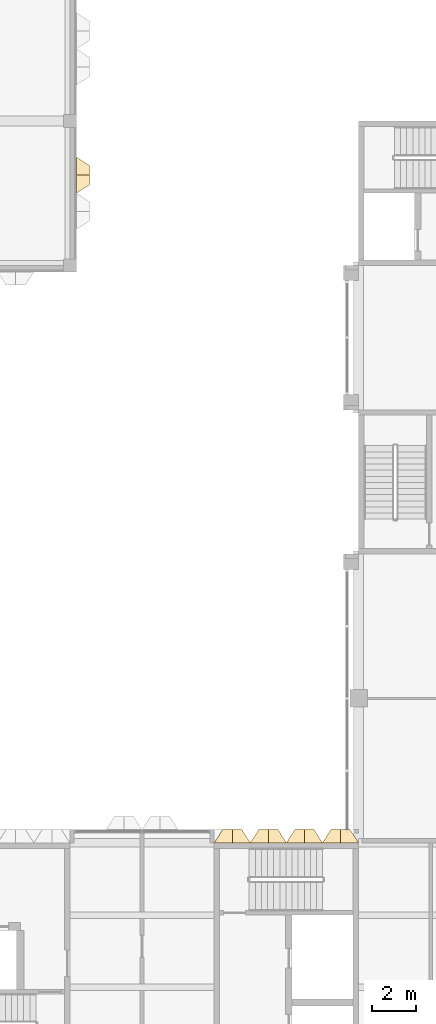
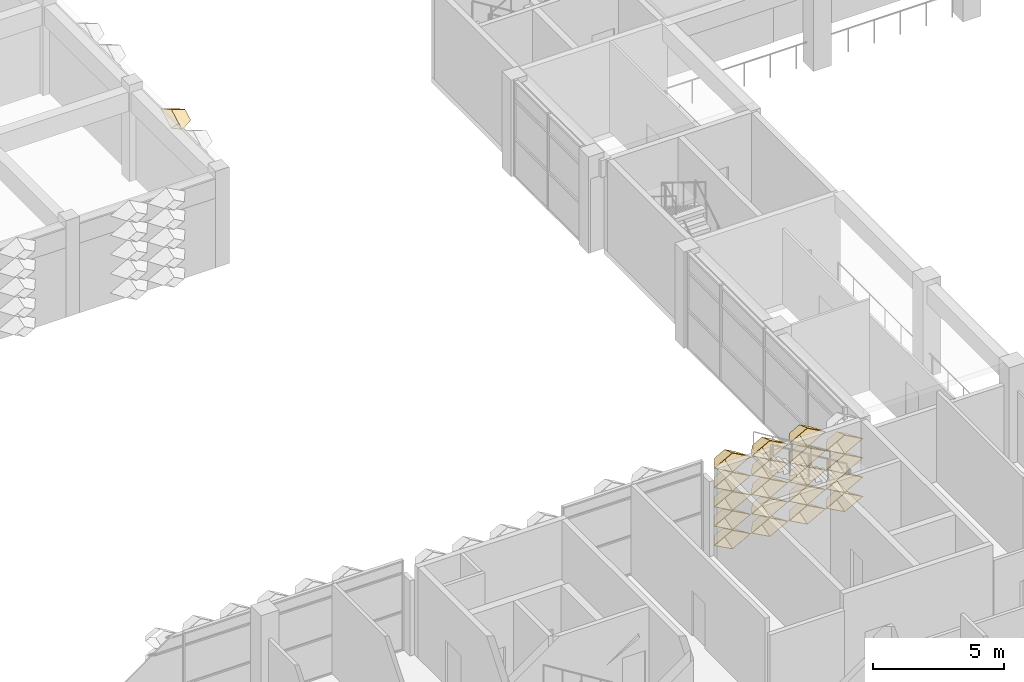
# One storey, part 56 of 87: 20 coverings.
"""IFC4 building model written with IfcOpenShell, lengths in metres."""

from ifc_helpers import new_model, entity, si_unit, direction, frame, origin, place, context, subcontext, project, spatial, material, layer, layer_set, type_object, element, save


model = new_model("IFC4")

# Units and contexts
model_context = context("Model", 3, precision=1e-05, world=origin(), true_north=direction((0.0, 1.0)))
body_context = subcontext(model_context, "Body", "Model", "MODEL_VIEW")
ifc_project = project(units=[si_unit("LENGTHUNIT", "METRE"), si_unit("AREAUNIT", "SQUARE_METRE"), si_unit("VOLUMEUNIT", "CUBIC_METRE"), si_unit("PLANEANGLEUNIT", "RADIAN"), si_unit("MASSUNIT", "GRAM", prefix="KILO")], contexts=[model_context])

# Site, building, storey
site_placement = place(None, origin())
site = spatial("IfcSite", under=ifc_project, at=site_placement, CompositionType="ELEMENT")
building_placement = place(site_placement, origin())
building = spatial("IfcBuilding", under=site, at=building_placement, Name="Lantern Court Research Institute", CompositionType="ELEMENT")
storey_placement = place(building_placement, frame((0.0, 0.0, 5.39990234375)))
storey = spatial("IfcBuildingStorey", under=building, at=storey_placement, Name="L01", CompositionType="ELEMENT", Elevation=5.39990234375)

# Coverings
ifc_material = material(Name="Anodised aluminium", Category="aluminium")
ifc_layer = layer(ifc_material, 0.01611328125)
ifc_layer_set = layer_set([ifc_layer], Name="Anodised aluminium")
covering_type = type_object("IfcCoveringType", Name="Fin cassette 1650 x 900 x 600 aluminium", PredefinedType="CLADDING", material=ifc_layer_set)
covering_1_placement = place(storey_placement, frame((26.699951171875, 53.625, 4.050048828125), z_axis=(1.0, 0.0, 0.0), x_axis=(0.0, 1.0, 0.0)))
cartesian_point_1 = entity("IfcCartesianPoint", [0.824951171875, 0.0])
cartesian_point_2 = entity("IfcCartesianPoint", [0.79150390625, 0.0])
cartesian_point_3 = entity("IfcCartesianPoint", [0.44189453125, 0.0])
cartesian_point_4 = entity("IfcCartesianPoint", [0.43359375, 0.0])
element("IfcCovering", 1, at=covering_1_placement, inside=storey, type_object=covering_type, Name="Fin cassette V3E-L01 5.33", PredefinedType="CLADDING", context=body_context, shape_type="SweptSolid", body=[
    entity("IfcExtrudedAreaSolidTapered", entity("IfcArbitraryProfileDefWithVoids", "AREA", None, entity("IfcPolyline", [cartesian_point_1, entity("IfcCartesianPoint", [0.0, 0.449951171875]), entity("IfcCartesianPoint", [-0.824951171875, 0.0]), entity("IfcCartesianPoint", [0.0, -0.449951171875]), cartesian_point_1]), [entity("IfcPolyline", [cartesian_point_2, entity("IfcCartesianPoint", [0.0, 0.431884765625]), entity("IfcCartesianPoint", [-0.79150390625, 0.0]), entity("IfcCartesianPoint", [0.0, -0.431884765625]), cartesian_point_2])]), entity("IfcAxis2Placement3D", entity("IfcCartesianPoint", [0.0, 0.0, 0.0])), entity("IfcDirection", [0.0, 0.0, 1.0]), 0.60009765625, entity("IfcArbitraryProfileDefWithVoids", "AREA", None, entity("IfcPolyline", [cartesian_point_3, entity("IfcCartesianPoint", [0.0, 0.240966796875]), entity("IfcCartesianPoint", [-0.44189453125, 0.0]), entity("IfcCartesianPoint", [0.0, -0.240966796875]), cartesian_point_3]), [entity("IfcPolyline", [cartesian_point_4, entity("IfcCartesianPoint", [0.0, 0.236572265625]), entity("IfcCartesianPoint", [-0.43359375, 0.0]), entity("IfcCartesianPoint", [0.0, -0.236572265625]), cartesian_point_4])])),
])
covering_2_placement = place(storey_placement, frame((33.824951171875, 23.10009765625, 0.4501953125), z_axis=(0.0, 1.0, 0.0), x_axis=(-1.0, 0.0, 0.0)))
cartesian_point_5 = entity("IfcCartesianPoint", [0.824951171875, 0.0])
cartesian_point_6 = entity("IfcCartesianPoint", [0.79150390625, 0.0])
cartesian_point_7 = entity("IfcCartesianPoint", [0.44189453125, 0.0])
cartesian_point_8 = entity("IfcCartesianPoint", [0.43359375, 0.0])
element("IfcCovering", 2, at=covering_2_placement, inside=storey, type_object=covering_type, Name="Fin cassette V4N-L01 1.21", PredefinedType="CLADDING", context=body_context, shape_type="SweptSolid", body=[
    entity("IfcExtrudedAreaSolidTapered", entity("IfcArbitraryProfileDefWithVoids", "AREA", None, entity("IfcPolyline", [cartesian_point_5, entity("IfcCartesianPoint", [0.0, 0.449951171875]), entity("IfcCartesianPoint", [-0.824951171875, 0.0]), entity("IfcCartesianPoint", [0.0, -0.449951171875]), cartesian_point_5]), [entity("IfcPolyline", [cartesian_point_6, entity("IfcCartesianPoint", [0.0, 0.431884765625]), entity("IfcCartesianPoint", [-0.79150390625, 0.0]), entity("IfcCartesianPoint", [0.0, -0.431884765625]), cartesian_point_6])]), entity("IfcAxis2Placement3D", entity("IfcCartesianPoint", [0.0, 0.0, 0.0])), entity("IfcDirection", [0.0, 0.0, 1.0]), 0.60009765625, entity("IfcArbitraryProfileDefWithVoids", "AREA", None, entity("IfcPolyline", [cartesian_point_7, entity("IfcCartesianPoint", [0.0, 0.240966796875]), entity("IfcCartesianPoint", [-0.44189453125, 0.0]), entity("IfcCartesianPoint", [0.0, -0.240966796875]), cartesian_point_7]), [entity("IfcPolyline", [cartesian_point_8, entity("IfcCartesianPoint", [0.0, 0.236572265625]), entity("IfcCartesianPoint", [-0.43359375, 0.0]), entity("IfcCartesianPoint", [0.0, -0.236572265625]), cartesian_point_8])])),
])
covering_3_placement = place(storey_placement, frame((35.47509765625, 23.10009765625, 0.4501953125), z_axis=(0.0, 1.0, 0.0), x_axis=(-1.0, 0.0, 0.0)))
cartesian_point_9 = entity("IfcCartesianPoint", [0.824951171875, 0.0])
cartesian_point_10 = entity("IfcCartesianPoint", [0.79150390625, 0.0])
cartesian_point_11 = entity("IfcCartesianPoint", [0.44189453125, 0.0])
cartesian_point_12 = entity("IfcCartesianPoint", [0.43359375, 0.0])
element("IfcCovering", 3, at=covering_3_placement, inside=storey, type_object=covering_type, Name="Fin cassette V4N-L01 1.22", PredefinedType="CLADDING", context=body_context, shape_type="SweptSolid", body=[
    entity("IfcExtrudedAreaSolidTapered", entity("IfcArbitraryProfileDefWithVoids", "AREA", None, entity("IfcPolyline", [cartesian_point_9, entity("IfcCartesianPoint", [0.0, 0.449951171875]), entity("IfcCartesianPoint", [-0.824951171875, 0.0]), entity("IfcCartesianPoint", [0.0, -0.449951171875]), cartesian_point_9]), [entity("IfcPolyline", [cartesian_point_10, entity("IfcCartesianPoint", [0.0, 0.431884765625]), entity("IfcCartesianPoint", [-0.79150390625, 0.0]), entity("IfcCartesianPoint", [0.0, -0.431884765625]), cartesian_point_10])]), entity("IfcAxis2Placement3D", entity("IfcCartesianPoint", [0.0, 0.0, 0.0])), entity("IfcDirection", [0.0, 0.0, 1.0]), 0.60009765625, entity("IfcArbitraryProfileDefWithVoids", "AREA", None, entity("IfcPolyline", [cartesian_point_11, entity("IfcCartesianPoint", [0.0, 0.240966796875]), entity("IfcCartesianPoint", [-0.44189453125, 0.0]), entity("IfcCartesianPoint", [0.0, -0.240966796875]), cartesian_point_11]), [entity("IfcPolyline", [cartesian_point_12, entity("IfcCartesianPoint", [0.0, 0.236572265625]), entity("IfcCartesianPoint", [-0.43359375, 0.0]), entity("IfcCartesianPoint", [0.0, -0.236572265625]), cartesian_point_12])])),
])
covering_4_placement = place(storey_placement, frame((37.125, 23.10009765625, 0.4501953125), z_axis=(0.0, 1.0, 0.0), x_axis=(-1.0, 0.0, 0.0)))
cartesian_point_13 = entity("IfcCartesianPoint", [0.824951171875, 0.0])
cartesian_point_14 = entity("IfcCartesianPoint", [0.79150390625, 0.0])
cartesian_point_15 = entity("IfcCartesianPoint", [0.44189453125, 0.0])
cartesian_point_16 = entity("IfcCartesianPoint", [0.43359375, 0.0])
element("IfcCovering", 4, at=covering_4_placement, inside=storey, type_object=covering_type, Name="Fin cassette V4N-L01 1.23", PredefinedType="CLADDING", context=body_context, shape_type="SweptSolid", body=[
    entity("IfcExtrudedAreaSolidTapered", entity("IfcArbitraryProfileDefWithVoids", "AREA", None, entity("IfcPolyline", [cartesian_point_13, entity("IfcCartesianPoint", [0.0, 0.449951171875]), entity("IfcCartesianPoint", [-0.824951171875, 0.0]), entity("IfcCartesianPoint", [0.0, -0.449951171875]), cartesian_point_13]), [entity("IfcPolyline", [cartesian_point_14, entity("IfcCartesianPoint", [0.0, 0.431884765625]), entity("IfcCartesianPoint", [-0.79150390625, 0.0]), entity("IfcCartesianPoint", [0.0, -0.431884765625]), cartesian_point_14])]), entity("IfcAxis2Placement3D", entity("IfcCartesianPoint", [0.0, 0.0, 0.0])), entity("IfcDirection", [0.0, 0.0, 1.0]), 0.60009765625, entity("IfcArbitraryProfileDefWithVoids", "AREA", None, entity("IfcPolyline", [cartesian_point_15, entity("IfcCartesianPoint", [0.0, 0.240966796875]), entity("IfcCartesianPoint", [-0.44189453125, 0.0]), entity("IfcCartesianPoint", [0.0, -0.240966796875]), cartesian_point_15]), [entity("IfcPolyline", [cartesian_point_16, entity("IfcCartesianPoint", [0.0, 0.236572265625]), entity("IfcCartesianPoint", [-0.43359375, 0.0]), entity("IfcCartesianPoint", [0.0, -0.236572265625]), cartesian_point_16])])),
])
covering_5_placement = place(storey_placement, frame((38.77490234375, 23.10009765625, 0.4501953125), z_axis=(0.0, 1.0, 0.0), x_axis=(-1.0, 0.0, 0.0)))
cartesian_point_17 = entity("IfcCartesianPoint", [0.824951171875, 0.0])
cartesian_point_18 = entity("IfcCartesianPoint", [0.79150390625, 0.0])
cartesian_point_19 = entity("IfcCartesianPoint", [0.44189453125, 0.0])
cartesian_point_20 = entity("IfcCartesianPoint", [0.43359375, 0.0])
element("IfcCovering", 5, at=covering_5_placement, inside=storey, type_object=covering_type, Name="Fin cassette V4N-L01 1.24", PredefinedType="CLADDING", context=body_context, shape_type="SweptSolid", body=[
    entity("IfcExtrudedAreaSolidTapered", entity("IfcArbitraryProfileDefWithVoids", "AREA", None, entity("IfcPolyline", [cartesian_point_17, entity("IfcCartesianPoint", [0.0, 0.449951171875]), entity("IfcCartesianPoint", [-0.824951171875, 0.0]), entity("IfcCartesianPoint", [0.0, -0.449951171875]), cartesian_point_17]), [entity("IfcPolyline", [cartesian_point_18, entity("IfcCartesianPoint", [0.0, 0.431884765625]), entity("IfcCartesianPoint", [-0.79150390625, 0.0]), entity("IfcCartesianPoint", [0.0, -0.431884765625]), cartesian_point_18])]), entity("IfcAxis2Placement3D", entity("IfcCartesianPoint", [0.0, 0.0, 0.0])), entity("IfcDirection", [0.0, 0.0, 1.0]), 0.60009765625, entity("IfcArbitraryProfileDefWithVoids", "AREA", None, entity("IfcPolyline", [cartesian_point_19, entity("IfcCartesianPoint", [0.0, 0.240966796875]), entity("IfcCartesianPoint", [-0.44189453125, 0.0]), entity("IfcCartesianPoint", [0.0, -0.240966796875]), cartesian_point_19]), [entity("IfcPolyline", [cartesian_point_20, entity("IfcCartesianPoint", [0.0, 0.236572265625]), entity("IfcCartesianPoint", [-0.43359375, 0.0]), entity("IfcCartesianPoint", [0.0, -0.236572265625]), cartesian_point_20])])),
])
covering_6_placement = place(storey_placement, frame((33.824951171875, 23.10009765625, 1.35009765625), z_axis=(0.0, 1.0, 0.0), x_axis=(-1.0, 0.0, 0.0)))
cartesian_point_21 = entity("IfcCartesianPoint", [0.824951171875, 0.0])
cartesian_point_22 = entity("IfcCartesianPoint", [0.79150390625, 0.0])
cartesian_point_23 = entity("IfcCartesianPoint", [0.44189453125, 0.0])
cartesian_point_24 = entity("IfcCartesianPoint", [0.43359375, 0.0])
element("IfcCovering", 6, at=covering_6_placement, inside=storey, type_object=covering_type, Name="Fin cassette V4N-L01 2.21", PredefinedType="CLADDING", context=body_context, shape_type="SweptSolid", body=[
    entity("IfcExtrudedAreaSolidTapered", entity("IfcArbitraryProfileDefWithVoids", "AREA", None, entity("IfcPolyline", [cartesian_point_21, entity("IfcCartesianPoint", [0.0, 0.449951171875]), entity("IfcCartesianPoint", [-0.824951171875, 0.0]), entity("IfcCartesianPoint", [0.0, -0.449951171875]), cartesian_point_21]), [entity("IfcPolyline", [cartesian_point_22, entity("IfcCartesianPoint", [0.0, 0.431884765625]), entity("IfcCartesianPoint", [-0.79150390625, 0.0]), entity("IfcCartesianPoint", [0.0, -0.431884765625]), cartesian_point_22])]), entity("IfcAxis2Placement3D", entity("IfcCartesianPoint", [0.0, 0.0, 0.0])), entity("IfcDirection", [0.0, 0.0, 1.0]), 0.60009765625, entity("IfcArbitraryProfileDefWithVoids", "AREA", None, entity("IfcPolyline", [cartesian_point_23, entity("IfcCartesianPoint", [0.0, 0.240966796875]), entity("IfcCartesianPoint", [-0.44189453125, 0.0]), entity("IfcCartesianPoint", [0.0, -0.240966796875]), cartesian_point_23]), [entity("IfcPolyline", [cartesian_point_24, entity("IfcCartesianPoint", [0.0, 0.236572265625]), entity("IfcCartesianPoint", [-0.43359375, 0.0]), entity("IfcCartesianPoint", [0.0, -0.236572265625]), cartesian_point_24])])),
])
covering_7_placement = place(storey_placement, frame((35.47509765625, 23.10009765625, 1.35009765625), z_axis=(0.0, 1.0, 0.0), x_axis=(-1.0, 0.0, 0.0)))
cartesian_point_25 = entity("IfcCartesianPoint", [0.824951171875, 0.0])
cartesian_point_26 = entity("IfcCartesianPoint", [0.79150390625, 0.0])
cartesian_point_27 = entity("IfcCartesianPoint", [0.44189453125, 0.0])
cartesian_point_28 = entity("IfcCartesianPoint", [0.43359375, 0.0])
element("IfcCovering", 7, at=covering_7_placement, inside=storey, type_object=covering_type, Name="Fin cassette V4N-L01 2.22", PredefinedType="CLADDING", context=body_context, shape_type="SweptSolid", body=[
    entity("IfcExtrudedAreaSolidTapered", entity("IfcArbitraryProfileDefWithVoids", "AREA", None, entity("IfcPolyline", [cartesian_point_25, entity("IfcCartesianPoint", [0.0, 0.449951171875]), entity("IfcCartesianPoint", [-0.824951171875, 0.0]), entity("IfcCartesianPoint", [0.0, -0.449951171875]), cartesian_point_25]), [entity("IfcPolyline", [cartesian_point_26, entity("IfcCartesianPoint", [0.0, 0.431884765625]), entity("IfcCartesianPoint", [-0.79150390625, 0.0]), entity("IfcCartesianPoint", [0.0, -0.431884765625]), cartesian_point_26])]), entity("IfcAxis2Placement3D", entity("IfcCartesianPoint", [0.0, 0.0, 0.0])), entity("IfcDirection", [0.0, 0.0, 1.0]), 0.60009765625, entity("IfcArbitraryProfileDefWithVoids", "AREA", None, entity("IfcPolyline", [cartesian_point_27, entity("IfcCartesianPoint", [0.0, 0.240966796875]), entity("IfcCartesianPoint", [-0.44189453125, 0.0]), entity("IfcCartesianPoint", [0.0, -0.240966796875]), cartesian_point_27]), [entity("IfcPolyline", [cartesian_point_28, entity("IfcCartesianPoint", [0.0, 0.236572265625]), entity("IfcCartesianPoint", [-0.43359375, 0.0]), entity("IfcCartesianPoint", [0.0, -0.236572265625]), cartesian_point_28])])),
])
covering_8_placement = place(storey_placement, frame((37.125, 23.10009765625, 1.35009765625), z_axis=(0.0, 1.0, 0.0), x_axis=(-1.0, 0.0, 0.0)))
cartesian_point_29 = entity("IfcCartesianPoint", [0.824951171875, 0.0])
cartesian_point_30 = entity("IfcCartesianPoint", [0.79150390625, 0.0])
cartesian_point_31 = entity("IfcCartesianPoint", [0.44189453125, 0.0])
cartesian_point_32 = entity("IfcCartesianPoint", [0.43359375, 0.0])
element("IfcCovering", 8, at=covering_8_placement, inside=storey, type_object=covering_type, Name="Fin cassette V4N-L01 2.23", PredefinedType="CLADDING", context=body_context, shape_type="SweptSolid", body=[
    entity("IfcExtrudedAreaSolidTapered", entity("IfcArbitraryProfileDefWithVoids", "AREA", None, entity("IfcPolyline", [cartesian_point_29, entity("IfcCartesianPoint", [0.0, 0.449951171875]), entity("IfcCartesianPoint", [-0.824951171875, 0.0]), entity("IfcCartesianPoint", [0.0, -0.449951171875]), cartesian_point_29]), [entity("IfcPolyline", [cartesian_point_30, entity("IfcCartesianPoint", [0.0, 0.431884765625]), entity("IfcCartesianPoint", [-0.79150390625, 0.0]), entity("IfcCartesianPoint", [0.0, -0.431884765625]), cartesian_point_30])]), entity("IfcAxis2Placement3D", entity("IfcCartesianPoint", [0.0, 0.0, 0.0])), entity("IfcDirection", [0.0, 0.0, 1.0]), 0.60009765625, entity("IfcArbitraryProfileDefWithVoids", "AREA", None, entity("IfcPolyline", [cartesian_point_31, entity("IfcCartesianPoint", [0.0, 0.240966796875]), entity("IfcCartesianPoint", [-0.44189453125, 0.0]), entity("IfcCartesianPoint", [0.0, -0.240966796875]), cartesian_point_31]), [entity("IfcPolyline", [cartesian_point_32, entity("IfcCartesianPoint", [0.0, 0.236572265625]), entity("IfcCartesianPoint", [-0.43359375, 0.0]), entity("IfcCartesianPoint", [0.0, -0.236572265625]), cartesian_point_32])])),
])
covering_9_placement = place(storey_placement, frame((38.77490234375, 23.10009765625, 1.35009765625), z_axis=(0.0, 1.0, 0.0), x_axis=(-1.0, 0.0, 0.0)))
cartesian_point_33 = entity("IfcCartesianPoint", [0.824951171875, 0.0])
cartesian_point_34 = entity("IfcCartesianPoint", [0.79150390625, 0.0])
cartesian_point_35 = entity("IfcCartesianPoint", [0.44189453125, 0.0])
cartesian_point_36 = entity("IfcCartesianPoint", [0.43359375, 0.0])
element("IfcCovering", 9, at=covering_9_placement, inside=storey, type_object=covering_type, Name="Fin cassette V4N-L01 2.24", PredefinedType="CLADDING", context=body_context, shape_type="SweptSolid", body=[
    entity("IfcExtrudedAreaSolidTapered", entity("IfcArbitraryProfileDefWithVoids", "AREA", None, entity("IfcPolyline", [cartesian_point_33, entity("IfcCartesianPoint", [0.0, 0.449951171875]), entity("IfcCartesianPoint", [-0.824951171875, 0.0]), entity("IfcCartesianPoint", [0.0, -0.449951171875]), cartesian_point_33]), [entity("IfcPolyline", [cartesian_point_34, entity("IfcCartesianPoint", [0.0, 0.431884765625]), entity("IfcCartesianPoint", [-0.79150390625, 0.0]), entity("IfcCartesianPoint", [0.0, -0.431884765625]), cartesian_point_34])]), entity("IfcAxis2Placement3D", entity("IfcCartesianPoint", [0.0, 0.0, 0.0])), entity("IfcDirection", [0.0, 0.0, 1.0]), 0.60009765625, entity("IfcArbitraryProfileDefWithVoids", "AREA", None, entity("IfcPolyline", [cartesian_point_35, entity("IfcCartesianPoint", [0.0, 0.240966796875]), entity("IfcCartesianPoint", [-0.44189453125, 0.0]), entity("IfcCartesianPoint", [0.0, -0.240966796875]), cartesian_point_35]), [entity("IfcPolyline", [cartesian_point_36, entity("IfcCartesianPoint", [0.0, 0.236572265625]), entity("IfcCartesianPoint", [-0.43359375, 0.0]), entity("IfcCartesianPoint", [0.0, -0.236572265625]), cartesian_point_36])])),
])
covering_10_placement = place(storey_placement, frame((33.824951171875, 23.10009765625, 2.25), z_axis=(0.0, 1.0, 0.0), x_axis=(-1.0, 0.0, 0.0)))
cartesian_point_37 = entity("IfcCartesianPoint", [0.824951171875, 0.0])
cartesian_point_38 = entity("IfcCartesianPoint", [0.79150390625, 0.0])
cartesian_point_39 = entity("IfcCartesianPoint", [0.44189453125, 0.0])
cartesian_point_40 = entity("IfcCartesianPoint", [0.43359375, 0.0])
element("IfcCovering", 10, at=covering_10_placement, inside=storey, type_object=covering_type, Name="Fin cassette V4N-L01 3.21", PredefinedType="CLADDING", context=body_context, shape_type="SweptSolid", body=[
    entity("IfcExtrudedAreaSolidTapered", entity("IfcArbitraryProfileDefWithVoids", "AREA", None, entity("IfcPolyline", [cartesian_point_37, entity("IfcCartesianPoint", [0.0, 0.449951171875]), entity("IfcCartesianPoint", [-0.824951171875, 0.0]), entity("IfcCartesianPoint", [0.0, -0.449951171875]), cartesian_point_37]), [entity("IfcPolyline", [cartesian_point_38, entity("IfcCartesianPoint", [0.0, 0.431884765625]), entity("IfcCartesianPoint", [-0.79150390625, 0.0]), entity("IfcCartesianPoint", [0.0, -0.431884765625]), cartesian_point_38])]), entity("IfcAxis2Placement3D", entity("IfcCartesianPoint", [0.0, 0.0, 0.0])), entity("IfcDirection", [0.0, 0.0, 1.0]), 0.60009765625, entity("IfcArbitraryProfileDefWithVoids", "AREA", None, entity("IfcPolyline", [cartesian_point_39, entity("IfcCartesianPoint", [0.0, 0.240966796875]), entity("IfcCartesianPoint", [-0.44189453125, 0.0]), entity("IfcCartesianPoint", [0.0, -0.240966796875]), cartesian_point_39]), [entity("IfcPolyline", [cartesian_point_40, entity("IfcCartesianPoint", [0.0, 0.236572265625]), entity("IfcCartesianPoint", [-0.43359375, 0.0]), entity("IfcCartesianPoint", [0.0, -0.236572265625]), cartesian_point_40])])),
])
covering_11_placement = place(storey_placement, frame((35.47509765625, 23.10009765625, 2.25), z_axis=(0.0, 1.0, 0.0), x_axis=(-1.0, 0.0, 0.0)))
cartesian_point_41 = entity("IfcCartesianPoint", [0.824951171875, 0.0])
cartesian_point_42 = entity("IfcCartesianPoint", [0.79150390625, 0.0])
cartesian_point_43 = entity("IfcCartesianPoint", [0.44189453125, 0.0])
cartesian_point_44 = entity("IfcCartesianPoint", [0.43359375, 0.0])
element("IfcCovering", 11, at=covering_11_placement, inside=storey, type_object=covering_type, Name="Fin cassette V4N-L01 3.22", PredefinedType="CLADDING", context=body_context, shape_type="SweptSolid", body=[
    entity("IfcExtrudedAreaSolidTapered", entity("IfcArbitraryProfileDefWithVoids", "AREA", None, entity("IfcPolyline", [cartesian_point_41, entity("IfcCartesianPoint", [0.0, 0.449951171875]), entity("IfcCartesianPoint", [-0.824951171875, 0.0]), entity("IfcCartesianPoint", [0.0, -0.449951171875]), cartesian_point_41]), [entity("IfcPolyline", [cartesian_point_42, entity("IfcCartesianPoint", [0.0, 0.431884765625]), entity("IfcCartesianPoint", [-0.79150390625, 0.0]), entity("IfcCartesianPoint", [0.0, -0.431884765625]), cartesian_point_42])]), entity("IfcAxis2Placement3D", entity("IfcCartesianPoint", [0.0, 0.0, 0.0])), entity("IfcDirection", [0.0, 0.0, 1.0]), 0.60009765625, entity("IfcArbitraryProfileDefWithVoids", "AREA", None, entity("IfcPolyline", [cartesian_point_43, entity("IfcCartesianPoint", [0.0, 0.240966796875]), entity("IfcCartesianPoint", [-0.44189453125, 0.0]), entity("IfcCartesianPoint", [0.0, -0.240966796875]), cartesian_point_43]), [entity("IfcPolyline", [cartesian_point_44, entity("IfcCartesianPoint", [0.0, 0.236572265625]), entity("IfcCartesianPoint", [-0.43359375, 0.0]), entity("IfcCartesianPoint", [0.0, -0.236572265625]), cartesian_point_44])])),
])
covering_12_placement = place(storey_placement, frame((37.125, 23.10009765625, 2.25), z_axis=(0.0, 1.0, 0.0), x_axis=(-1.0, 0.0, 0.0)))
cartesian_point_45 = entity("IfcCartesianPoint", [0.824951171875, 0.0])
cartesian_point_46 = entity("IfcCartesianPoint", [0.79150390625, 0.0])
cartesian_point_47 = entity("IfcCartesianPoint", [0.44189453125, 0.0])
cartesian_point_48 = entity("IfcCartesianPoint", [0.43359375, 0.0])
element("IfcCovering", 12, at=covering_12_placement, inside=storey, type_object=covering_type, Name="Fin cassette V4N-L01 3.23", PredefinedType="CLADDING", context=body_context, shape_type="SweptSolid", body=[
    entity("IfcExtrudedAreaSolidTapered", entity("IfcArbitraryProfileDefWithVoids", "AREA", None, entity("IfcPolyline", [cartesian_point_45, entity("IfcCartesianPoint", [0.0, 0.449951171875]), entity("IfcCartesianPoint", [-0.824951171875, 0.0]), entity("IfcCartesianPoint", [0.0, -0.449951171875]), cartesian_point_45]), [entity("IfcPolyline", [cartesian_point_46, entity("IfcCartesianPoint", [0.0, 0.431884765625]), entity("IfcCartesianPoint", [-0.79150390625, 0.0]), entity("IfcCartesianPoint", [0.0, -0.431884765625]), cartesian_point_46])]), entity("IfcAxis2Placement3D", entity("IfcCartesianPoint", [0.0, 0.0, 0.0])), entity("IfcDirection", [0.0, 0.0, 1.0]), 0.60009765625, entity("IfcArbitraryProfileDefWithVoids", "AREA", None, entity("IfcPolyline", [cartesian_point_47, entity("IfcCartesianPoint", [0.0, 0.240966796875]), entity("IfcCartesianPoint", [-0.44189453125, 0.0]), entity("IfcCartesianPoint", [0.0, -0.240966796875]), cartesian_point_47]), [entity("IfcPolyline", [cartesian_point_48, entity("IfcCartesianPoint", [0.0, 0.236572265625]), entity("IfcCartesianPoint", [-0.43359375, 0.0]), entity("IfcCartesianPoint", [0.0, -0.236572265625]), cartesian_point_48])])),
])
covering_13_placement = place(storey_placement, frame((38.77490234375, 23.10009765625, 2.25), z_axis=(0.0, 1.0, 0.0), x_axis=(-1.0, 0.0, 0.0)))
cartesian_point_49 = entity("IfcCartesianPoint", [0.824951171875, 0.0])
cartesian_point_50 = entity("IfcCartesianPoint", [0.79150390625, 0.0])
cartesian_point_51 = entity("IfcCartesianPoint", [0.44189453125, 0.0])
cartesian_point_52 = entity("IfcCartesianPoint", [0.43359375, 0.0])
element("IfcCovering", 13, at=covering_13_placement, inside=storey, type_object=covering_type, Name="Fin cassette V4N-L01 3.24", PredefinedType="CLADDING", context=body_context, shape_type="SweptSolid", body=[
    entity("IfcExtrudedAreaSolidTapered", entity("IfcArbitraryProfileDefWithVoids", "AREA", None, entity("IfcPolyline", [cartesian_point_49, entity("IfcCartesianPoint", [0.0, 0.449951171875]), entity("IfcCartesianPoint", [-0.824951171875, 0.0]), entity("IfcCartesianPoint", [0.0, -0.449951171875]), cartesian_point_49]), [entity("IfcPolyline", [cartesian_point_50, entity("IfcCartesianPoint", [0.0, 0.431884765625]), entity("IfcCartesianPoint", [-0.79150390625, 0.0]), entity("IfcCartesianPoint", [0.0, -0.431884765625]), cartesian_point_50])]), entity("IfcAxis2Placement3D", entity("IfcCartesianPoint", [0.0, 0.0, 0.0])), entity("IfcDirection", [0.0, 0.0, 1.0]), 0.60009765625, entity("IfcArbitraryProfileDefWithVoids", "AREA", None, entity("IfcPolyline", [cartesian_point_51, entity("IfcCartesianPoint", [0.0, 0.240966796875]), entity("IfcCartesianPoint", [-0.44189453125, 0.0]), entity("IfcCartesianPoint", [0.0, -0.240966796875]), cartesian_point_51]), [entity("IfcPolyline", [cartesian_point_52, entity("IfcCartesianPoint", [0.0, 0.236572265625]), entity("IfcCartesianPoint", [-0.43359375, 0.0]), entity("IfcCartesianPoint", [0.0, -0.236572265625]), cartesian_point_52])])),
])
covering_14_placement = place(storey_placement, frame((33.824951171875, 23.10009765625, 3.150146484375), z_axis=(0.0, 1.0, 0.0), x_axis=(-1.0, 0.0, 0.0)))
cartesian_point_53 = entity("IfcCartesianPoint", [0.824951171875, 0.0])
cartesian_point_54 = entity("IfcCartesianPoint", [0.79150390625, 0.0])
cartesian_point_55 = entity("IfcCartesianPoint", [0.44189453125, 0.0])
cartesian_point_56 = entity("IfcCartesianPoint", [0.43359375, 0.0])
element("IfcCovering", 14, at=covering_14_placement, inside=storey, type_object=covering_type, Name="Fin cassette V4N-L01 4.21", PredefinedType="CLADDING", context=body_context, shape_type="SweptSolid", body=[
    entity("IfcExtrudedAreaSolidTapered", entity("IfcArbitraryProfileDefWithVoids", "AREA", None, entity("IfcPolyline", [cartesian_point_53, entity("IfcCartesianPoint", [0.0, 0.449951171875]), entity("IfcCartesianPoint", [-0.824951171875, 0.0]), entity("IfcCartesianPoint", [0.0, -0.449951171875]), cartesian_point_53]), [entity("IfcPolyline", [cartesian_point_54, entity("IfcCartesianPoint", [0.0, 0.431884765625]), entity("IfcCartesianPoint", [-0.79150390625, 0.0]), entity("IfcCartesianPoint", [0.0, -0.431884765625]), cartesian_point_54])]), entity("IfcAxis2Placement3D", entity("IfcCartesianPoint", [0.0, 0.0, 0.0])), entity("IfcDirection", [0.0, 0.0, 1.0]), 0.60009765625, entity("IfcArbitraryProfileDefWithVoids", "AREA", None, entity("IfcPolyline", [cartesian_point_55, entity("IfcCartesianPoint", [0.0, 0.240966796875]), entity("IfcCartesianPoint", [-0.44189453125, 0.0]), entity("IfcCartesianPoint", [0.0, -0.240966796875]), cartesian_point_55]), [entity("IfcPolyline", [cartesian_point_56, entity("IfcCartesianPoint", [0.0, 0.236572265625]), entity("IfcCartesianPoint", [-0.43359375, 0.0]), entity("IfcCartesianPoint", [0.0, -0.236572265625]), cartesian_point_56])])),
])
covering_15_placement = place(storey_placement, frame((35.47509765625, 23.10009765625, 3.150146484375), z_axis=(0.0, 1.0, 0.0), x_axis=(-1.0, 0.0, 0.0)))
cartesian_point_57 = entity("IfcCartesianPoint", [0.824951171875, 0.0])
cartesian_point_58 = entity("IfcCartesianPoint", [0.79150390625, 0.0])
cartesian_point_59 = entity("IfcCartesianPoint", [0.44189453125, 0.0])
cartesian_point_60 = entity("IfcCartesianPoint", [0.43359375, 0.0])
element("IfcCovering", 15, at=covering_15_placement, inside=storey, type_object=covering_type, Name="Fin cassette V4N-L01 4.22", PredefinedType="CLADDING", context=body_context, shape_type="SweptSolid", body=[
    entity("IfcExtrudedAreaSolidTapered", entity("IfcArbitraryProfileDefWithVoids", "AREA", None, entity("IfcPolyline", [cartesian_point_57, entity("IfcCartesianPoint", [0.0, 0.449951171875]), entity("IfcCartesianPoint", [-0.824951171875, 0.0]), entity("IfcCartesianPoint", [0.0, -0.449951171875]), cartesian_point_57]), [entity("IfcPolyline", [cartesian_point_58, entity("IfcCartesianPoint", [0.0, 0.431884765625]), entity("IfcCartesianPoint", [-0.79150390625, 0.0]), entity("IfcCartesianPoint", [0.0, -0.431884765625]), cartesian_point_58])]), entity("IfcAxis2Placement3D", entity("IfcCartesianPoint", [0.0, 0.0, 0.0])), entity("IfcDirection", [0.0, 0.0, 1.0]), 0.60009765625, entity("IfcArbitraryProfileDefWithVoids", "AREA", None, entity("IfcPolyline", [cartesian_point_59, entity("IfcCartesianPoint", [0.0, 0.240966796875]), entity("IfcCartesianPoint", [-0.44189453125, 0.0]), entity("IfcCartesianPoint", [0.0, -0.240966796875]), cartesian_point_59]), [entity("IfcPolyline", [cartesian_point_60, entity("IfcCartesianPoint", [0.0, 0.236572265625]), entity("IfcCartesianPoint", [-0.43359375, 0.0]), entity("IfcCartesianPoint", [0.0, -0.236572265625]), cartesian_point_60])])),
])
covering_16_placement = place(storey_placement, frame((37.125, 23.10009765625, 3.150146484375), z_axis=(0.0, 1.0, 0.0), x_axis=(-1.0, 0.0, 0.0)))
cartesian_point_61 = entity("IfcCartesianPoint", [0.824951171875, 0.0])
cartesian_point_62 = entity("IfcCartesianPoint", [0.79150390625, 0.0])
cartesian_point_63 = entity("IfcCartesianPoint", [0.44189453125, 0.0])
cartesian_point_64 = entity("IfcCartesianPoint", [0.43359375, 0.0])
element("IfcCovering", 16, at=covering_16_placement, inside=storey, type_object=covering_type, Name="Fin cassette V4N-L01 4.23", PredefinedType="CLADDING", context=body_context, shape_type="SweptSolid", body=[
    entity("IfcExtrudedAreaSolidTapered", entity("IfcArbitraryProfileDefWithVoids", "AREA", None, entity("IfcPolyline", [cartesian_point_61, entity("IfcCartesianPoint", [0.0, 0.449951171875]), entity("IfcCartesianPoint", [-0.824951171875, 0.0]), entity("IfcCartesianPoint", [0.0, -0.449951171875]), cartesian_point_61]), [entity("IfcPolyline", [cartesian_point_62, entity("IfcCartesianPoint", [0.0, 0.431884765625]), entity("IfcCartesianPoint", [-0.79150390625, 0.0]), entity("IfcCartesianPoint", [0.0, -0.431884765625]), cartesian_point_62])]), entity("IfcAxis2Placement3D", entity("IfcCartesianPoint", [0.0, 0.0, 0.0])), entity("IfcDirection", [0.0, 0.0, 1.0]), 0.60009765625, entity("IfcArbitraryProfileDefWithVoids", "AREA", None, entity("IfcPolyline", [cartesian_point_63, entity("IfcCartesianPoint", [0.0, 0.240966796875]), entity("IfcCartesianPoint", [-0.44189453125, 0.0]), entity("IfcCartesianPoint", [0.0, -0.240966796875]), cartesian_point_63]), [entity("IfcPolyline", [cartesian_point_64, entity("IfcCartesianPoint", [0.0, 0.236572265625]), entity("IfcCartesianPoint", [-0.43359375, 0.0]), entity("IfcCartesianPoint", [0.0, -0.236572265625]), cartesian_point_64])])),
])
covering_17_placement = place(storey_placement, frame((38.77490234375, 23.10009765625, 3.150146484375), z_axis=(0.0, 1.0, 0.0), x_axis=(-1.0, 0.0, 0.0)))
cartesian_point_65 = entity("IfcCartesianPoint", [0.824951171875, 0.0])
cartesian_point_66 = entity("IfcCartesianPoint", [0.79150390625, 0.0])
cartesian_point_67 = entity("IfcCartesianPoint", [0.44189453125, 0.0])
cartesian_point_68 = entity("IfcCartesianPoint", [0.43359375, 0.0])
element("IfcCovering", 17, at=covering_17_placement, inside=storey, type_object=covering_type, Name="Fin cassette V4N-L01 4.24", PredefinedType="CLADDING", context=body_context, shape_type="SweptSolid", body=[
    entity("IfcExtrudedAreaSolidTapered", entity("IfcArbitraryProfileDefWithVoids", "AREA", None, entity("IfcPolyline", [cartesian_point_65, entity("IfcCartesianPoint", [0.0, 0.449951171875]), entity("IfcCartesianPoint", [-0.824951171875, 0.0]), entity("IfcCartesianPoint", [0.0, -0.449951171875]), cartesian_point_65]), [entity("IfcPolyline", [cartesian_point_66, entity("IfcCartesianPoint", [0.0, 0.431884765625]), entity("IfcCartesianPoint", [-0.79150390625, 0.0]), entity("IfcCartesianPoint", [0.0, -0.431884765625]), cartesian_point_66])]), entity("IfcAxis2Placement3D", entity("IfcCartesianPoint", [0.0, 0.0, 0.0])), entity("IfcDirection", [0.0, 0.0, 1.0]), 0.60009765625, entity("IfcArbitraryProfileDefWithVoids", "AREA", None, entity("IfcPolyline", [cartesian_point_67, entity("IfcCartesianPoint", [0.0, 0.240966796875]), entity("IfcCartesianPoint", [-0.44189453125, 0.0]), entity("IfcCartesianPoint", [0.0, -0.240966796875]), cartesian_point_67]), [entity("IfcPolyline", [cartesian_point_68, entity("IfcCartesianPoint", [0.0, 0.236572265625]), entity("IfcCartesianPoint", [-0.43359375, 0.0]), entity("IfcCartesianPoint", [0.0, -0.236572265625]), cartesian_point_68])])),
])
covering_18_placement = place(storey_placement, frame((33.824951171875, 23.10009765625, 4.050048828125), z_axis=(0.0, 1.0, 0.0), x_axis=(-1.0, 0.0, 0.0)))
cartesian_point_69 = entity("IfcCartesianPoint", [0.824951171875, 0.0])
cartesian_point_70 = entity("IfcCartesianPoint", [0.79150390625, 0.0])
cartesian_point_71 = entity("IfcCartesianPoint", [0.44189453125, 0.0])
cartesian_point_72 = entity("IfcCartesianPoint", [0.43359375, 0.0])
element("IfcCovering", 18, at=covering_18_placement, inside=storey, type_object=covering_type, Name="Fin cassette V4N-L01 5.21", PredefinedType="CLADDING", context=body_context, shape_type="SweptSolid", body=[
    entity("IfcExtrudedAreaSolidTapered", entity("IfcArbitraryProfileDefWithVoids", "AREA", None, entity("IfcPolyline", [cartesian_point_69, entity("IfcCartesianPoint", [0.0, 0.449951171875]), entity("IfcCartesianPoint", [-0.824951171875, 0.0]), entity("IfcCartesianPoint", [0.0, -0.449951171875]), cartesian_point_69]), [entity("IfcPolyline", [cartesian_point_70, entity("IfcCartesianPoint", [0.0, 0.431884765625]), entity("IfcCartesianPoint", [-0.79150390625, 0.0]), entity("IfcCartesianPoint", [0.0, -0.431884765625]), cartesian_point_70])]), entity("IfcAxis2Placement3D", entity("IfcCartesianPoint", [0.0, 0.0, 0.0])), entity("IfcDirection", [0.0, 0.0, 1.0]), 0.60009765625, entity("IfcArbitraryProfileDefWithVoids", "AREA", None, entity("IfcPolyline", [cartesian_point_71, entity("IfcCartesianPoint", [0.0, 0.240966796875]), entity("IfcCartesianPoint", [-0.44189453125, 0.0]), entity("IfcCartesianPoint", [0.0, -0.240966796875]), cartesian_point_71]), [entity("IfcPolyline", [cartesian_point_72, entity("IfcCartesianPoint", [0.0, 0.236572265625]), entity("IfcCartesianPoint", [-0.43359375, 0.0]), entity("IfcCartesianPoint", [0.0, -0.236572265625]), cartesian_point_72])])),
])
covering_19_placement = place(storey_placement, frame((35.47509765625, 23.10009765625, 4.050048828125), z_axis=(0.0, 1.0, 0.0), x_axis=(-1.0, 0.0, 0.0)))
cartesian_point_73 = entity("IfcCartesianPoint", [0.824951171875, 0.0])
cartesian_point_74 = entity("IfcCartesianPoint", [0.79150390625, 0.0])
cartesian_point_75 = entity("IfcCartesianPoint", [0.44189453125, 0.0])
cartesian_point_76 = entity("IfcCartesianPoint", [0.43359375, 0.0])
element("IfcCovering", 19, at=covering_19_placement, inside=storey, type_object=covering_type, Name="Fin cassette V4N-L01 5.22", PredefinedType="CLADDING", context=body_context, shape_type="SweptSolid", body=[
    entity("IfcExtrudedAreaSolidTapered", entity("IfcArbitraryProfileDefWithVoids", "AREA", None, entity("IfcPolyline", [cartesian_point_73, entity("IfcCartesianPoint", [0.0, 0.449951171875]), entity("IfcCartesianPoint", [-0.824951171875, 0.0]), entity("IfcCartesianPoint", [0.0, -0.449951171875]), cartesian_point_73]), [entity("IfcPolyline", [cartesian_point_74, entity("IfcCartesianPoint", [0.0, 0.431884765625]), entity("IfcCartesianPoint", [-0.79150390625, 0.0]), entity("IfcCartesianPoint", [0.0, -0.431884765625]), cartesian_point_74])]), entity("IfcAxis2Placement3D", entity("IfcCartesianPoint", [0.0, 0.0, 0.0])), entity("IfcDirection", [0.0, 0.0, 1.0]), 0.60009765625, entity("IfcArbitraryProfileDefWithVoids", "AREA", None, entity("IfcPolyline", [cartesian_point_75, entity("IfcCartesianPoint", [0.0, 0.240966796875]), entity("IfcCartesianPoint", [-0.44189453125, 0.0]), entity("IfcCartesianPoint", [0.0, -0.240966796875]), cartesian_point_75]), [entity("IfcPolyline", [cartesian_point_76, entity("IfcCartesianPoint", [0.0, 0.236572265625]), entity("IfcCartesianPoint", [-0.43359375, 0.0]), entity("IfcCartesianPoint", [0.0, -0.236572265625]), cartesian_point_76])])),
])
covering_20_placement = place(storey_placement, frame((37.125, 23.10009765625, 4.050048828125), z_axis=(0.0, 1.0, 0.0), x_axis=(-1.0, 0.0, 0.0)))
cartesian_point_77 = entity("IfcCartesianPoint", [0.824951171875, 0.0])
cartesian_point_78 = entity("IfcCartesianPoint", [0.79150390625, 0.0])
cartesian_point_79 = entity("IfcCartesianPoint", [0.44189453125, 0.0])
cartesian_point_80 = entity("IfcCartesianPoint", [0.43359375, 0.0])
element("IfcCovering", 20, at=covering_20_placement, inside=storey, type_object=covering_type, Name="Fin cassette V4N-L01 5.23", PredefinedType="CLADDING", context=body_context, shape_type="SweptSolid", body=[
    entity("IfcExtrudedAreaSolidTapered", entity("IfcArbitraryProfileDefWithVoids", "AREA", None, entity("IfcPolyline", [cartesian_point_77, entity("IfcCartesianPoint", [0.0, 0.449951171875]), entity("IfcCartesianPoint", [-0.824951171875, 0.0]), entity("IfcCartesianPoint", [0.0, -0.449951171875]), cartesian_point_77]), [entity("IfcPolyline", [cartesian_point_78, entity("IfcCartesianPoint", [0.0, 0.431884765625]), entity("IfcCartesianPoint", [-0.79150390625, 0.0]), entity("IfcCartesianPoint", [0.0, -0.431884765625]), cartesian_point_78])]), entity("IfcAxis2Placement3D", entity("IfcCartesianPoint", [0.0, 0.0, 0.0])), entity("IfcDirection", [0.0, 0.0, 1.0]), 0.60009765625, entity("IfcArbitraryProfileDefWithVoids", "AREA", None, entity("IfcPolyline", [cartesian_point_79, entity("IfcCartesianPoint", [0.0, 0.240966796875]), entity("IfcCartesianPoint", [-0.44189453125, 0.0]), entity("IfcCartesianPoint", [0.0, -0.240966796875]), cartesian_point_79]), [entity("IfcPolyline", [cartesian_point_80, entity("IfcCartesianPoint", [0.0, 0.236572265625]), entity("IfcCartesianPoint", [-0.43359375, 0.0]), entity("IfcCartesianPoint", [0.0, -0.236572265625]), cartesian_point_80])])),
])

save(model, "model.ifc")
